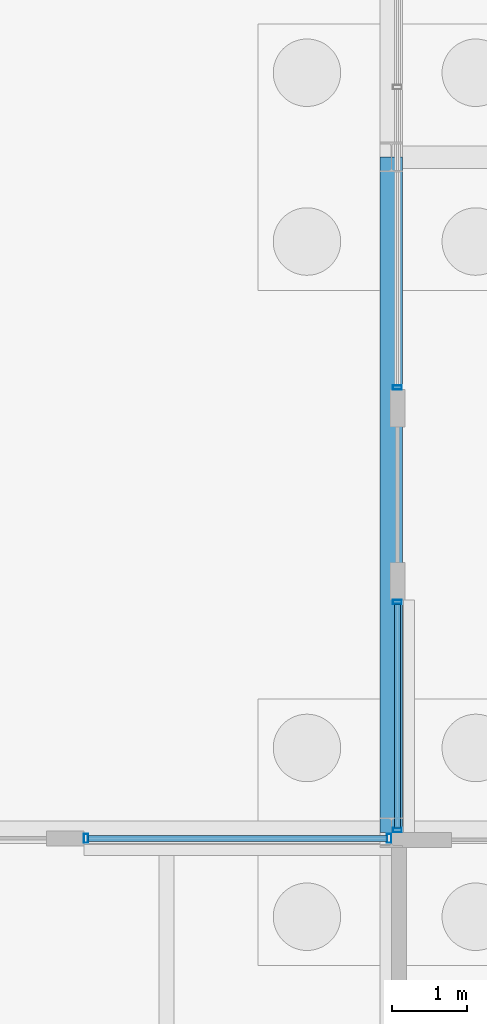
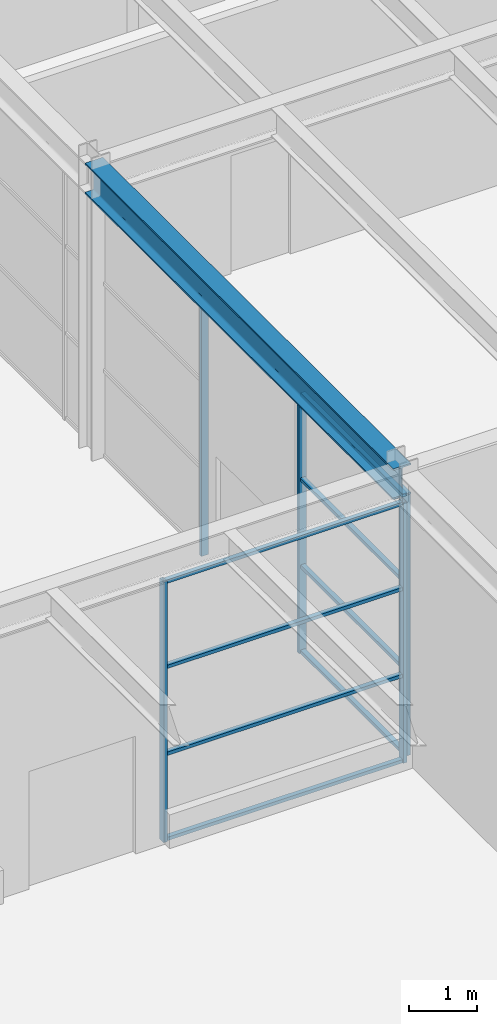
# One storey, part 39 of 126: 13 members, 1 beam, 3 elements without a shape of their own.
"""IFC4 building model written with IfcOpenShell, lengths in metres."""

from ifc_helpers import new_model, si_unit, direction, frame, origin, origin_2d, place, context, subcontext, project, spatial, hollow_rectangle, i_section, extrude, material, material_profile, profile_set, type_object, element, aggregate, save


model = new_model("IFC4")

# Units and contexts
model_context = context("Model", 3, precision=1e-05, world=origin(), true_north=direction((0.0, 1.0)))
body_context = subcontext(model_context, "Body", "Model", "MODEL_VIEW")
ifc_project = project(units=[si_unit("LENGTHUNIT", "METRE"), si_unit("AREAUNIT", "SQUARE_METRE"), si_unit("VOLUMEUNIT", "CUBIC_METRE"), si_unit("PLANEANGLEUNIT", "RADIAN"), si_unit("MASSUNIT", "GRAM", prefix="KILO")], contexts=[model_context])

# Site, building, storey
site_placement = place(None, origin())
site = spatial("IfcSite", under=ifc_project, at=site_placement, CompositionType="ELEMENT")
building_placement = place(site_placement, origin())
building = spatial("IfcBuilding", under=site, at=building_placement, Name="Kallimachos Central Library", CompositionType="ELEMENT")
storey_placement = place(building_placement, origin())
storey = spatial("IfcBuildingStorey", under=building, at=storey_placement, Name="L00", CompositionType="ELEMENT", Elevation=0.0)

# Curtain wall, members
ifc_material_1 = material(Name="Aluminium and laminated glass", Category="aluminium")
curtain_wall_type = type_object("IfcCurtainWallType", Name="Atrium glazed screen", PredefinedType="NOTDEFINED", material=ifc_material_1)
curtain_wall_1_placement = place(storey_placement, origin())
curtain_wall_1 = element("IfcCurtainWall", 1, at=curtain_wall_1_placement, inside=storey, type_object=curtain_wall_type, Name="L00 atrium screen S", PredefinedType="NOTDEFINED")
ifc_material_2 = material(Name="Anodised aluminium", Category="aluminium")
ifc_material_profile_1 = material_profile(ifc_material_2, hollow_rectangle(XDim=0.06005859375, YDim=0.1201171875, WallThickness=0.00390625, at=origin_2d()), Name="ALU MULLION 60x120")
ifc_profile_set_1 = profile_set([ifc_material_profile_1], Name="Anodised aluminium")
member_type_1 = type_object("IfcMemberType", Name="Atrium screen mullion", PredefinedType="MULLION", material=ifc_profile_set_1)
member_1_placement = place(storey_placement, frame((97.429931640625, 56.919921875, 0.0), z_axis=(0.0, 0.0, 1.0), x_axis=(1.0, 0.0, 0.0)))
member_1 = element("IfcMember", 2, at=member_1_placement, type_object=member_type_1, Name="CW mullion 1", PredefinedType="MULLION", context=body_context, shape_type="SweptSolid", body=[
    extrude(hollow_rectangle(XDim=0.06005859375, YDim=0.1201171875, WallThickness=0.00390625, at=origin_2d()), origin(), (0.0, 0.0, 1.0), 4.64990234375),
])
member_2_placement = place(storey_placement, frame((101.469970703125, 56.919921875, 0.0), z_axis=(0.0, 0.0, 1.0), x_axis=(1.0, 0.0, 0.0)))
member_2 = element("IfcMember", 3, at=member_2_placement, type_object=member_type_1, Name="CW mullion 2", PredefinedType="MULLION", context=body_context, shape_type="SweptSolid", body=[
    extrude(hollow_rectangle(XDim=0.06005859375, YDim=0.1201171875, WallThickness=0.00390625, at=origin_2d()), origin(), (0.0, 0.0, 1.0), 4.64990234375),
])

curtain_wall_2_placement = place(storey_placement, origin())
curtain_wall_2 = element("IfcCurtainWall", 4, at=curtain_wall_2_placement, inside=storey, type_object=curtain_wall_type, Name="L00 atrium screen E", PredefinedType="NOTDEFINED")
member_3_placement = place(storey_placement, frame((101.580078125, 57.030029296875, 0.0), z_axis=(0.0, 0.0, 1.0), x_axis=(0.0, 1.0, 0.0)))
member_3 = element("IfcMember", 5, at=member_3_placement, type_object=member_type_1, Name="CW mullion 1", PredefinedType="MULLION", context=body_context, shape_type="SweptSolid", body=[
    extrude(hollow_rectangle(XDim=0.06005859375, YDim=0.1201171875, WallThickness=0.00390625, at=origin_2d()), origin(), (0.0, 0.0, 1.0), 4.64990234375),
])
member_4_placement = place(storey_placement, frame((101.580078125, 60.070068359375, 0.0), z_axis=(0.0, 0.0, 1.0), x_axis=(0.0, 1.0, 0.0)))
member_4 = element("IfcMember", 6, at=member_4_placement, type_object=member_type_1, Name="CW mullion 2", PredefinedType="MULLION", context=body_context, shape_type="SweptSolid", body=[
    extrude(hollow_rectangle(XDim=0.06005859375, YDim=0.1201171875, WallThickness=0.00390625, at=origin_2d()), origin(), (0.0, 0.0, 1.0), 4.64990234375),
])

# Curtain wall, member
curtain_wall_3_placement = place(storey_placement, origin())
curtain_wall_3 = element("IfcCurtainWall", 7, at=curtain_wall_3_placement, inside=storey, type_object=curtain_wall_type, Name="L00 atrium screen E", PredefinedType="NOTDEFINED")
member_5_placement = place(storey_placement, frame((101.580078125, 62.929931640625, 0.0), z_axis=(0.0, 0.0, 1.0), x_axis=(0.0, 1.0, 0.0)))
member_5 = element("IfcMember", 8, at=member_5_placement, type_object=member_type_1, Name="CW mullion 1", PredefinedType="MULLION", context=body_context, shape_type="SweptSolid", body=[
    extrude(hollow_rectangle(XDim=0.06005859375, YDim=0.1201171875, WallThickness=0.00390625, at=origin_2d()), origin(), (0.0, 0.0, 1.0), 4.64990234375),
])
aggregate(curtain_wall_3, [member_5])

# Member
ifc_material_3 = material(Name="Anodised aluminium", Category="aluminium")
ifc_material_profile_2 = material_profile(ifc_material_3, hollow_rectangle(XDim=0.06005859375, YDim=0.080078125, WallThickness=0.00390625, at=origin_2d()), Name="ALU TRANSOM 60x80")
ifc_profile_set_2 = profile_set([ifc_material_profile_2], Name="Anodised aluminium")
member_type_2 = type_object("IfcMemberType", Name="Atrium screen transom", PredefinedType="USERDEFINED", material=ifc_profile_set_2)
member_6_placement = place(storey_placement, frame((97.4599609375, 56.919921875, 0.030029296875), z_axis=(1.0, 0.0, 0.0), x_axis=(0.0, 0.0, 1.0)))
member_6 = element("IfcMember", 9, at=member_6_placement, type_object=member_type_2, Name="CW transom 1.1", ObjectType="TRANSOM", PredefinedType="USERDEFINED", context=body_context, shape_type="SweptSolid", body=[
    extrude(hollow_rectangle(XDim=0.06005859375, YDim=0.080078125, WallThickness=0.00390625, at=origin_2d()), origin(), (0.0, 0.0, 1.0), 3.97998046875),
])

member_7_placement = place(storey_placement, frame((97.4599609375, 56.919921875, 1.550048828125), z_axis=(1.0, 0.0, 0.0), x_axis=(0.0, 0.0, 1.0)))
member_7 = element("IfcMember", 10, at=member_7_placement, type_object=member_type_2, Name="CW transom 1.2", ObjectType="TRANSOM", PredefinedType="USERDEFINED", context=body_context, shape_type="SweptSolid", body=[
    extrude(hollow_rectangle(XDim=0.06005859375, YDim=0.080078125, WallThickness=0.00390625, at=origin_2d()), origin(), (0.0, 0.0, 1.0), 3.97998046875),
])

member_8_placement = place(storey_placement, frame((97.4599609375, 56.919921875, 3.10009765625), z_axis=(1.0, 0.0, 0.0), x_axis=(0.0, 0.0, 1.0)))
member_8 = element("IfcMember", 11, at=member_8_placement, type_object=member_type_2, Name="CW transom 1.3", ObjectType="TRANSOM", PredefinedType="USERDEFINED", context=body_context, shape_type="SweptSolid", body=[
    extrude(hollow_rectangle(XDim=0.06005859375, YDim=0.080078125, WallThickness=0.00390625, at=origin_2d()), origin(), (0.0, 0.0, 1.0), 3.97998046875),
])

member_9_placement = place(storey_placement, frame((97.4599609375, 56.919921875, 4.6201171875), z_axis=(1.0, 0.0, 0.0), x_axis=(0.0, 0.0, 1.0)))
member_9 = element("IfcMember", 12, at=member_9_placement, type_object=member_type_2, Name="CW transom 1.4", ObjectType="TRANSOM", PredefinedType="USERDEFINED", context=body_context, shape_type="SweptSolid", body=[
    extrude(hollow_rectangle(XDim=0.06005859375, YDim=0.080078125, WallThickness=0.00390625, at=origin_2d()), origin(), (0.0, 0.0, 1.0), 3.97998046875),
])

aggregate(curtain_wall_1, [member_1, member_2, member_6, member_7, member_8, member_9])

member_10_placement = place(storey_placement, frame((101.580078125, 57.06005859375, 0.030029296875), z_axis=(0.0, 1.0, 0.0), x_axis=(0.0, 0.0, 1.0)))
member_10 = element("IfcMember", 13, at=member_10_placement, type_object=member_type_2, Name="CW transom 1.1", ObjectType="TRANSOM", PredefinedType="USERDEFINED", context=body_context, shape_type="SweptSolid", body=[
    extrude(hollow_rectangle(XDim=0.06005859375, YDim=0.080078125, WallThickness=0.00390625, at=origin_2d()), origin(), (0.0, 0.0, 1.0), 2.97998046875),
])

member_11_placement = place(storey_placement, frame((101.580078125, 57.06005859375, 1.550048828125), z_axis=(0.0, 1.0, 0.0), x_axis=(0.0, 0.0, 1.0)))
member_11 = element("IfcMember", 14, at=member_11_placement, type_object=member_type_2, Name="CW transom 1.2", ObjectType="TRANSOM", PredefinedType="USERDEFINED", context=body_context, shape_type="SweptSolid", body=[
    extrude(hollow_rectangle(XDim=0.06005859375, YDim=0.080078125, WallThickness=0.00390625, at=origin_2d()), origin(), (0.0, 0.0, 1.0), 2.97998046875),
])

member_12_placement = place(storey_placement, frame((101.580078125, 57.06005859375, 3.10009765625), z_axis=(0.0, 1.0, 0.0), x_axis=(0.0, 0.0, 1.0)))
member_12 = element("IfcMember", 15, at=member_12_placement, type_object=member_type_2, Name="CW transom 1.3", ObjectType="TRANSOM", PredefinedType="USERDEFINED", context=body_context, shape_type="SweptSolid", body=[
    extrude(hollow_rectangle(XDim=0.06005859375, YDim=0.080078125, WallThickness=0.00390625, at=origin_2d()), origin(), (0.0, 0.0, 1.0), 2.97998046875),
])

member_13_placement = place(storey_placement, frame((101.580078125, 57.06005859375, 4.6201171875), z_axis=(0.0, 1.0, 0.0), x_axis=(0.0, 0.0, 1.0)))
member_13 = element("IfcMember", 16, at=member_13_placement, type_object=member_type_2, Name="CW transom 1.4", ObjectType="TRANSOM", PredefinedType="USERDEFINED", context=body_context, shape_type="SweptSolid", body=[
    extrude(hollow_rectangle(XDim=0.06005859375, YDim=0.080078125, WallThickness=0.00390625, at=origin_2d()), origin(), (0.0, 0.0, 1.0), 2.97998046875),
])

aggregate(curtain_wall_2, [member_3, member_4, member_10, member_11, member_12, member_13])

# Beam
ifc_material_4 = material(Name="Steel S355J2", Category="steel")
ifc_material_profile_3 = material_profile(ifc_material_4, i_section(OverallWidth=0.300048828125, OverallDepth=0.550048828125, WebThickness=0.014892578125, FlangeThickness=0.029052734375, FilletRadius=0.027099609375, at=origin_2d()), Name="HEB 550")
ifc_profile_set_3 = profile_set([ifc_material_profile_3], Name="Steel S355J2")
beam_type = type_object("IfcBeamType", Name="HEB 550 beam", PredefinedType="BEAM", material=ifc_profile_set_3)
beam_placement = place(storey_placement, frame((101.5, 57.0, 4.925048828125), z_axis=(0.0, 1.0, 0.0), x_axis=(-1.0, 0.0, 0.0)))
element("IfcBeam", 17, at=beam_placement, inside=storey, type_object=beam_type, Name="V4-BEM-L00-033", PredefinedType="BEAM", context=body_context, shape_type="SweptSolid", body=[
    extrude(i_section(OverallWidth=0.300048828125, OverallDepth=0.550048828125, WebThickness=0.014892578125, FlangeThickness=0.029052734375, FilletRadius=0.027099609375, at=origin_2d()), origin(), (0.0, 0.0, 1.0), 9.0),
])

save(model, "model.ifc")
